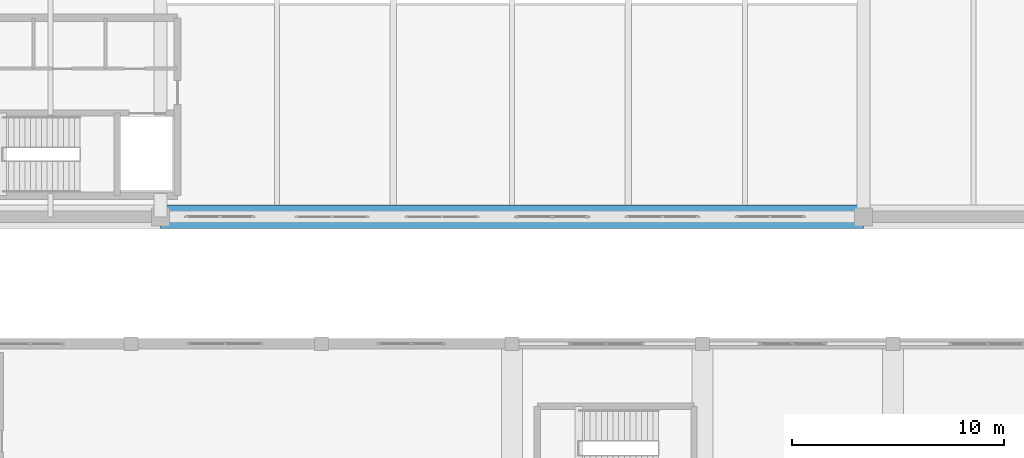
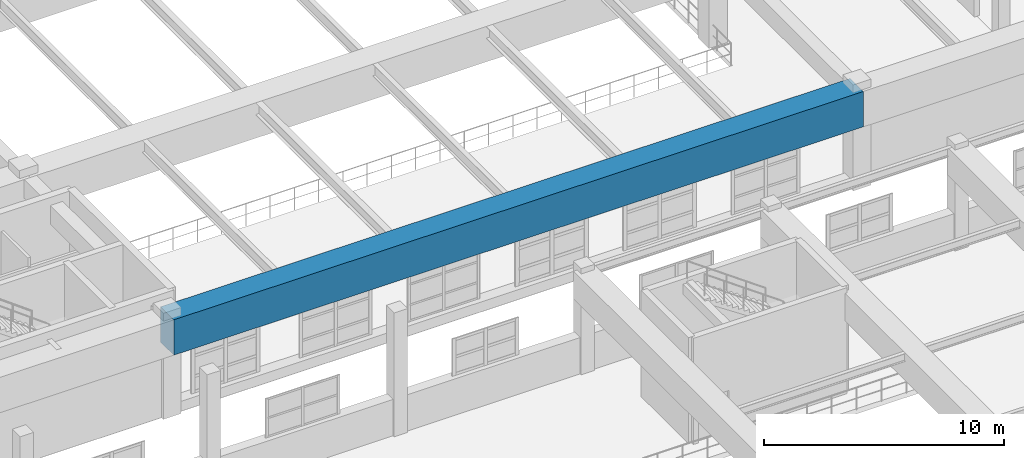
# One storey, part 33 of 197: 1 beam.
"""IFC4 building model written with IfcOpenShell, lengths in metres."""

from ifc_helpers import new_model, si_unit, derived_unit, direction, frame, origin, origin_2d, place, context, subcontext, project, spatial, rectangle, extrude, material, material_profile, profile_set, type_object, element, save


model = new_model("IFC4")

# Units and contexts
model_context = context("Model", 3, precision=1e-05, world=origin(), true_north=direction((0.0, 1.0)))
body_context = subcontext(model_context, "Body", "Model", "MODEL_VIEW")
ifc_project = project(units=[si_unit("LENGTHUNIT", "METRE"), si_unit("AREAUNIT", "SQUARE_METRE"), si_unit("VOLUMEUNIT", "CUBIC_METRE"), si_unit("PLANEANGLEUNIT", "RADIAN"), si_unit("MASSUNIT", "GRAM", prefix="KILO"), derived_unit("THERMALTRANSMITTANCEUNIT", [(si_unit("POWERUNIT", "WATT"), 1), (si_unit("LENGTHUNIT", "METRE"), -2), (si_unit("THERMODYNAMICTEMPERATUREUNIT", "KELVIN"), -1)])], contexts=[model_context])

# Site, building, storey
site_placement = place(None, origin())
site = spatial("IfcSite", under=ifc_project, at=site_placement, CompositionType="ELEMENT")
building_placement = place(site_placement, origin())
building = spatial("IfcBuilding", under=site, at=building_placement, Name="Almenara Railside Exhibition Hall", CompositionType="ELEMENT")
storey_placement = place(building_placement, frame((0.0, 0.0, 5.39990234375)))
storey = spatial("IfcBuildingStorey", under=building, at=storey_placement, Name="L01", CompositionType="ELEMENT", Elevation=5.39990234375)

# Beam
ifc_material = material(Name="Concrete C40/50", Category="concrete")
ifc_material_profile = material_profile(ifc_material, rectangle(XDim=1.10009765625, YDim=1.800048828125, at=origin_2d()), Name="RC 1100x1800")
ifc_profile_set = profile_set([ifc_material_profile], Name="Concrete C40/50")
beam_type = type_object("IfcBeamType", Name="RC End Transfer Girder 1100x1800 C40/50", PredefinedType="USERDEFINED", material=ifc_profile_set)
beam_placement = place(storey_placement, frame((22.39990234375, 48.0, 4.09619140625), z_axis=(1.0, 0.0, 0.0), x_axis=(0.0, 1.0, 0.0)))
element("IfcBeam", 1, at=beam_placement, inside=storey, type_object=beam_type, Name="Beam 0557", ObjectType="GIRDER", PredefinedType="USERDEFINED", context=body_context, shape_type="SweptSolid", body=[
    extrude(rectangle(XDim=1.10009765625, YDim=1.800048828125, at=origin_2d()), origin(), (0.0, 0.0, 1.0), 33.2001953125),
])

save(model, "model.ifc")
